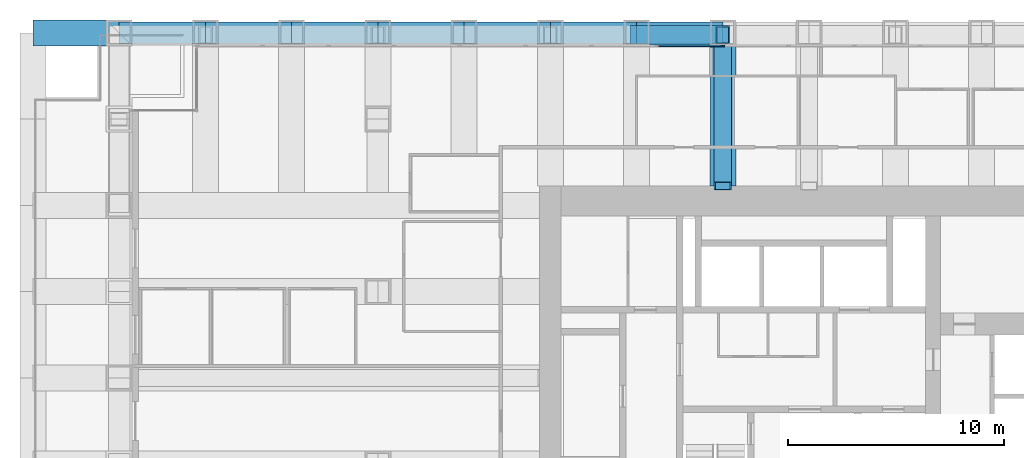
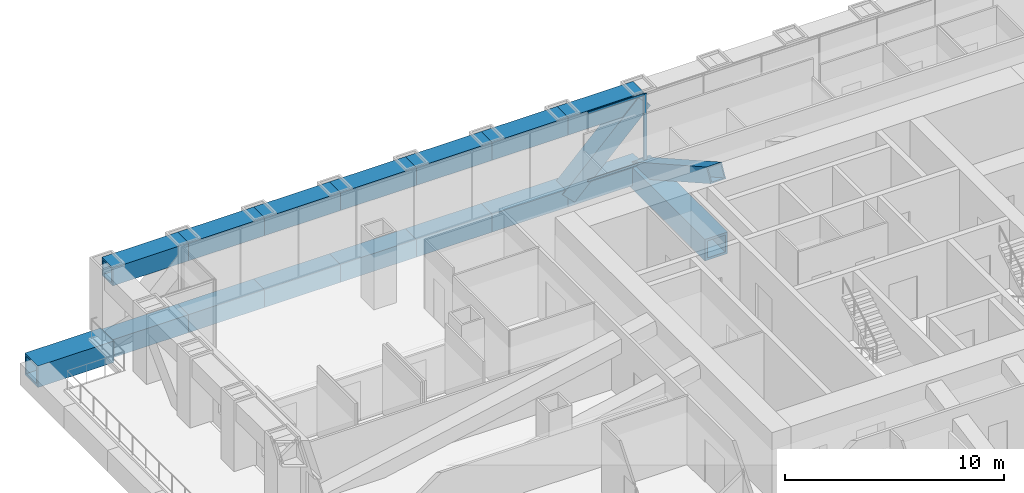
# One storey, part 9 of 18: 16 beams, 5 members, 1 element without a shape of its own.
"""IFC4 building model written with IfcOpenShell, lengths in metres."""

from ifc_helpers import new_model, si_unit, direction, frame, origin, origin_2d, place, context, subcontext, project, spatial, rectangle, hollow_rectangle, extrude, material, material_profile, profile_set, type_object, element, aggregate, save


model = new_model("IFC4")

# Units and contexts
model_context = context("Model", 3, precision=1e-05, world=origin(), true_north=direction((0.0, 1.0)))
body_context = subcontext(model_context, "Body", "Model", "MODEL_VIEW")
ifc_project = project(units=[si_unit("LENGTHUNIT", "METRE"), si_unit("AREAUNIT", "SQUARE_METRE"), si_unit("VOLUMEUNIT", "CUBIC_METRE"), si_unit("PLANEANGLEUNIT", "RADIAN"), si_unit("MASSUNIT", "GRAM", prefix="KILO")], contexts=[model_context])

# Site, building, storey
site_placement = place(None, origin())
site = spatial("IfcSite", under=ifc_project, at=site_placement, CompositionType="ELEMENT")
building_placement = place(site_placement, origin())
building = spatial("IfcBuilding", under=site, at=building_placement, Name="Rimbunsela Tower", CompositionType="ELEMENT")
storey_placement = place(building_placement, frame((0.0, 0.0, 11.0)))
storey = spatial("IfcBuildingStorey", under=building, at=storey_placement, Name="L02", CompositionType="ELEMENT", Elevation=11.0)

# Beams
ifc_material_1 = material(Name="Steel BJ 55 (fy 410 MPa)", Category="steel")
ifc_material_profile_1 = material_profile(ifc_material_1, hollow_rectangle(XDim=1.199951171875, YDim=1.199951171875, WallThickness=0.125, at=origin_2d()), Name="BOX 1200x1200x125")
ifc_profile_set_1 = profile_set([ifc_material_profile_1], Name="Steel BJ 55 (fy 410 MPa)")
beam_type_1 = type_object("IfcBeamType", Name="Beam BOX 1200x1200x125", PredefinedType="BEAM", material=ifc_profile_set_1)
beam_1_placement = place(storey_placement, frame((-6.0, 44.0, -0.75), z_axis=(1.0, 0.0, 0.0), x_axis=(0.0, 1.0, 0.0)))
element("IfcBeam", 1, at=beam_1_placement, inside=storey, type_object=beam_type_1, Name="Beam B4 L02", PredefinedType="BEAM", context=body_context, shape_type="SweptSolid", body=[
    extrude(hollow_rectangle(XDim=1.199951171875, YDim=1.199951171875, WallThickness=0.125, at=origin_2d()), origin(), (0.0, 0.0, 1.0), 4.0),
])
beam_2_placement = place(storey_placement, frame((26.0, 36.89990234375, -0.75), z_axis=(0.0, 1.0, 0.0), x_axis=(-1.0, 0.0, 0.0)))
element("IfcBeam", 2, at=beam_2_placement, inside=storey, type_object=beam_type_1, Name="Beam B4 L02", PredefinedType="BEAM", context=body_context, shape_type="SweptSolid", body=[
    extrude(hollow_rectangle(XDim=1.199951171875, YDim=1.199951171875, WallThickness=0.125, at=origin_2d()), origin(), (0.0, 0.0, 1.0), 7.10009765625),
])

# Curtain wall, members
ifc_material_2 = material(Name="Aluminium curtain wall", Category="aluminium")
curtain_wall_type = type_object("IfcCurtainWallType", Name="Exoskeleton storey infill", PredefinedType="USERDEFINED", material=ifc_material_2)
curtain_wall_placement = place(storey_placement, origin())
curtain_wall = element("IfcCurtainWall", 3, at=curtain_wall_placement, inside=storey, type_object=curtain_wall_type, Name="Exoskeleton storey infill L02", ObjectType="EXOSKELETON STOREY INFILL", PredefinedType="USERDEFINED")
ifc_material_3 = material(Name="Aluminium mullion", Category="aluminium")
ifc_material_profile_2 = material_profile(ifc_material_3, rectangle(XDim=0.06005859375, YDim=0.159912109375, at=origin_2d()), Name="Mullion 60x160")
ifc_profile_set_2 = profile_set([ifc_material_profile_2], Name="Aluminium mullion")
member_type_1 = type_object("IfcMemberType", Name="Curtain wall mullion 60x160", PredefinedType="MULLION", material=ifc_profile_set_2)
member_1_placement = place(storey_placement, frame((26.0, 43.39990234375, 0.0), z_axis=(0.0, 0.0, 1.0), x_axis=(0.0, -1.0, 0.0)))
member_1 = element("IfcMember", 4, at=member_1_placement, type_object=member_type_1, Name="CW2 mullion 9", PredefinedType="MULLION", context=body_context, shape_type="SweptSolid", body=[
    extrude(rectangle(XDim=0.06005859375, YDim=0.159912109375, at=origin_2d()), origin(), (0.0, 0.0, 1.0), 3.85009765625),
])
ifc_material_4 = material(Name="Aluminium transom", Category="aluminium")
ifc_material_profile_3 = material_profile(ifc_material_4, rectangle(XDim=0.06005859375, YDim=0.1201171875, at=origin_2d()), Name="Transom 60x120")
ifc_profile_set_3 = profile_set([ifc_material_profile_3], Name="Aluminium transom")
member_type_2 = type_object("IfcMemberType", Name="Curtain wall transom 60x120", PredefinedType="USERDEFINED", material=ifc_profile_set_3)
member_2_placement = place(storey_placement, frame((25.969970703125, 43.39990234375, 0.030029296875), z_axis=(-1.0, 0.0, 0.0), x_axis=(0.0, -1.0, 0.0)))
member_2 = element("IfcMember", 5, at=member_2_placement, type_object=member_type_2, Name="CW2 transom 9.1", ObjectType="TRANSOM", PredefinedType="USERDEFINED", context=body_context, shape_type="SweptSolid", body=[
    extrude(rectangle(XDim=0.06005859375, YDim=0.1201171875, at=origin_2d()), origin(), (0.0, 0.0, 1.0), 2.989990234375),
])
member_3_placement = place(storey_placement, frame((25.969970703125, 43.39990234375, 3.820068359375), z_axis=(-1.0, 0.0, 0.0), x_axis=(0.0, -1.0, 0.0)))
member_3 = element("IfcMember", 6, at=member_3_placement, type_object=member_type_2, Name="CW2 transom 9.2", ObjectType="TRANSOM", PredefinedType="USERDEFINED", context=body_context, shape_type="SweptSolid", body=[
    extrude(rectangle(XDim=0.06005859375, YDim=0.1201171875, at=origin_2d()), origin(), (0.0, 0.0, 1.0), 2.989990234375),
])
aggregate(curtain_wall, [member_1, member_2, member_3])

# Member
ifc_material_5 = material(Name="Steel BJ 55 (fy 410 MPa)", Category="steel")
ifc_material_profile_4 = material_profile(ifc_material_5, hollow_rectangle(XDim=0.800048828125, YDim=0.800048828125, WallThickness=0.06005859375, at=origin_2d()), Name="BOX 800x800x60")
ifc_profile_set_4 = profile_set([ifc_material_profile_4], Name="Steel BJ 55 (fy 410 MPa)")
member_type_3 = type_object("IfcMemberType", Name="Outrigger brace BOX 800x800x60", PredefinedType="BRACE", material=ifc_profile_set_4)
member_4_placement = place(storey_placement, frame((26.0, 44.0, -0.64990234375), z_axis=(0.0, -0.871250514853, 0.490838609289), x_axis=(1.0, 0.0, 0.0)))
element("IfcMember", 7, at=member_4_placement, inside=storey, type_object=member_type_3, Name="Outrigger brace OB1 N L02", PredefinedType="BRACE", context=body_context, shape_type="SweptSolid", body=[
    extrude(hollow_rectangle(XDim=0.800048828125, YDim=0.800048828125, WallThickness=0.06005859375, at=origin_2d()), origin(), (0.0, 0.0, 1.0), 8.1494140625),
])

# Beams
ifc_material_6 = material(Name="Steel BJ 55 (fy 410 MPa)", Category="steel")
ifc_material_profile_5 = material_profile(ifc_material_6, hollow_rectangle(XDim=1.0, YDim=1.0, WallThickness=0.10009765625, at=origin_2d()), Name="BOX 1000x1000x100")
ifc_profile_set_5 = profile_set([ifc_material_profile_5], Name="Steel BJ 55 (fy 410 MPa)")
beam_type_2 = type_object("IfcBeamType", Name="Truss chord BOX 1000x1000x100", PredefinedType="USERDEFINED", material=ifc_profile_set_5)
for number, where, z_axis, x_axis, name in (
    (8, (-2.0, 44.0, 3.35009765625), (1.0, 0.0, 0.0), (0.0, 1.0, 0.0), "Truss top chord TC1 N face L02"),
    (9, (2.0, 44.0, 3.35009765625), (1.0, 0.0, 0.0), (0.0, 1.0, 0.0), "Truss top chord TC1 N face L02"),
    (10, (6.0, 44.0, 3.35009765625), (1.0, 0.0, 0.0), (0.0, 1.0, 0.0), "Truss top chord TC1 N face L02"),
    (11, (10.0, 44.0, 3.35009765625), (1.0, 0.0, 0.0), (0.0, 1.0, 0.0), "Truss top chord TC1 N face L02"),
    (12, (14.0, 44.0, 3.35009765625), (1.0, 0.0, 0.0), (0.0, 1.0, 0.0), "Truss top chord TC1 N face L02"),
    (13, (18.0, 44.0, 3.35009765625), (1.0, 0.0, 0.0), (0.0, 1.0, 0.0), "Truss top chord TC1 N face L02"),
    (14, (22.0, 44.0, 3.35009765625), (1.0, 0.0, 0.0), (0.0, 1.0, 0.0), "Truss top chord TC1 N face L02"),
    (15, (-2.0, 44.0, -0.64990234375), (1.0, 0.0, 0.0), (0.0, 1.0, 0.0), "Truss bottom chord TC1 N face L02"),
    (16, (2.0, 44.0, -0.64990234375), (1.0, 0.0, 0.0), (0.0, 1.0, 0.0), "Truss bottom chord TC1 N face L02"),
    (17, (6.0, 44.0, -0.64990234375), (1.0, 0.0, 0.0), (0.0, 1.0, 0.0), "Truss bottom chord TC1 N face L02"),
    (18, (10.0, 44.0, -0.64990234375), (1.0, 0.0, 0.0), (0.0, 1.0, 0.0), "Truss bottom chord TC1 N face L02"),
    (19, (14.0, 44.0, -0.64990234375), (1.0, 0.0, 0.0), (0.0, 1.0, 0.0), "Truss bottom chord TC1 N face L02"),
    (20, (18.0, 44.0, -0.64990234375), (1.0, 0.0, 0.0), (0.0, 1.0, 0.0), "Truss bottom chord TC1 N face L02"),
    (21, (22.0, 44.0, -0.64990234375), (1.0, 0.0, 0.0), (0.0, 1.0, 0.0), "Truss bottom chord TC1 N face L02"),
):
    element("IfcBeam", number, at=place(storey_placement, frame(where, z_axis=z_axis, x_axis=x_axis)), inside=storey, type_object=beam_type_2, Name=name, ObjectType="TRUSS CHORD", PredefinedType="USERDEFINED", context=body_context, shape_type="SweptSolid", body=[
        extrude(hollow_rectangle(XDim=1.0, YDim=1.0, WallThickness=0.10009765625, at=origin_2d()), origin(), (0.0, 0.0, 1.0), 4.0),
    ])

# Member
ifc_material_7 = material(Name="Steel BJ 55 (fy 410 MPa)", Category="steel")
ifc_material_profile_6 = material_profile(ifc_material_7, hollow_rectangle(XDim=0.89990234375, YDim=0.89990234375, WallThickness=0.080078125, at=origin_2d()), Name="BOX 900x900x80")
ifc_profile_set_6 = profile_set([ifc_material_profile_6], Name="Steel BJ 55 (fy 410 MPa)")
member_type_4 = type_object("IfcMemberType", Name="Truss diagonal BOX 900x900x80", PredefinedType="BRACE", material=ifc_profile_set_6)
member_5_placement = place(storey_placement, frame((22.0, 43.89990234375, -0.64990234375), z_axis=(0.707106781187, 0.0, 0.707106781187), x_axis=(0.0, 1.0, 0.0)))
element("IfcMember", 22, at=member_5_placement, inside=storey, type_object=member_type_4, Name="Truss diagonal TD1 N face L02", PredefinedType="BRACE", context=body_context, shape_type="SweptSolid", body=[
    extrude(hollow_rectangle(XDim=0.89990234375, YDim=0.89990234375, WallThickness=0.080078125, at=origin_2d()), origin(), (0.0, 0.0, 1.0), 5.65673828125),
])

save(model, "model.ifc")
